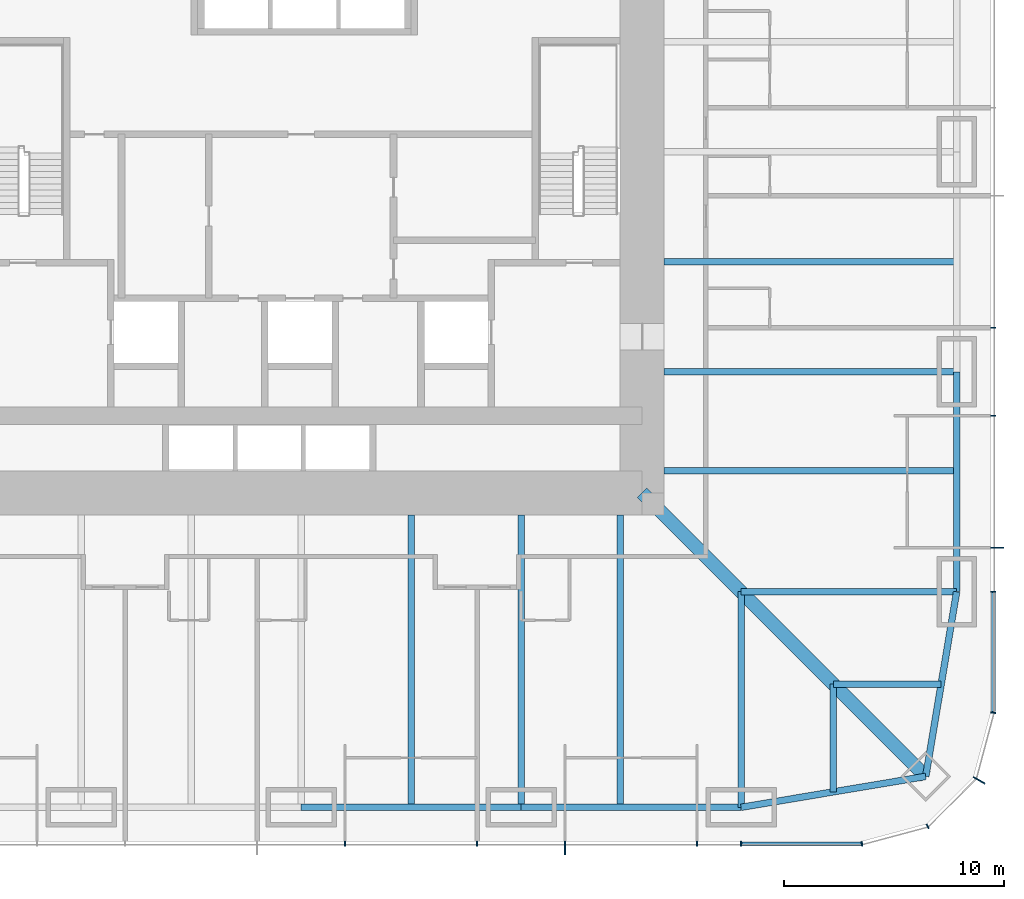
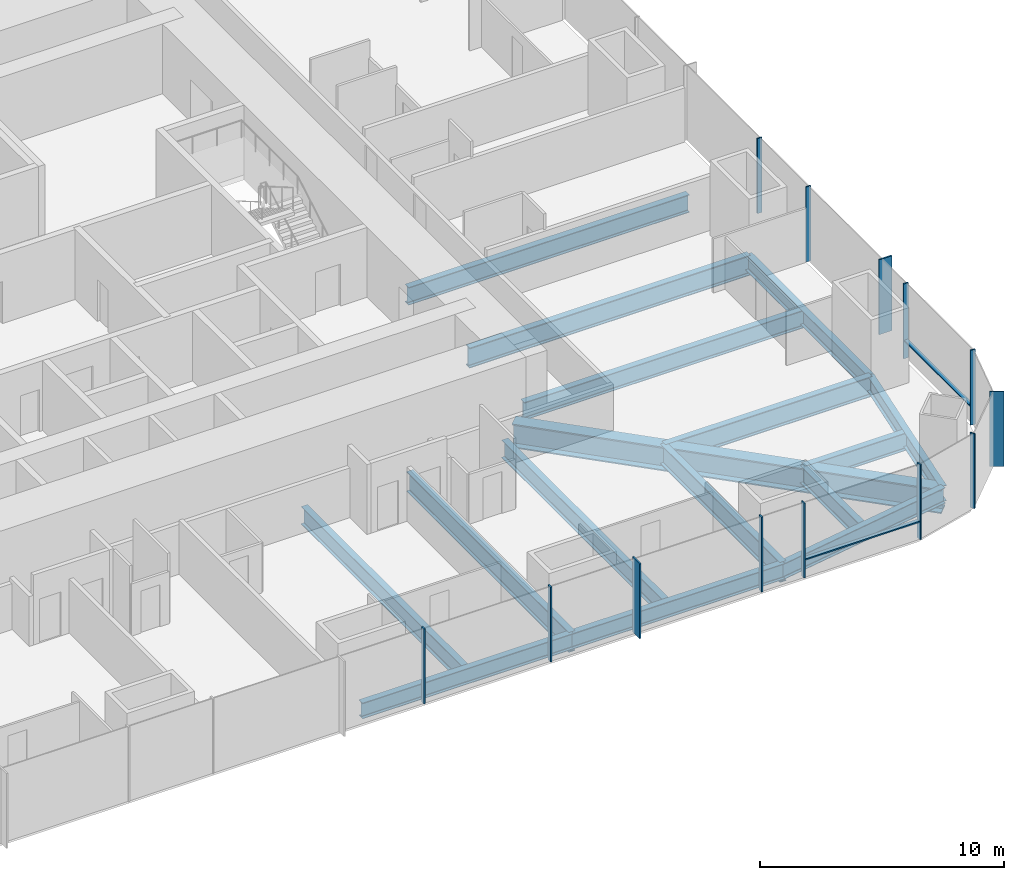
# One storey, part 4 of 16: 16 beams, 15 members, 3 elements without a shape of their own.
"""IFC4 building model written with IfcOpenShell, lengths in metres."""

from ifc_helpers import new_model, si_unit, direction, frame, origin, origin_2d, place, context, subcontext, project, spatial, rectangle, i_section, extrude, material, material_profile, profile_set, type_object, element, aggregate, save


model = new_model("IFC4")

# Units and contexts
model_context = context("Model", 3, precision=1e-05, world=origin(), true_north=direction((0.0, 1.0)))
body_context = subcontext(model_context, "Body", "Model", "MODEL_VIEW")
ifc_project = project(units=[si_unit("LENGTHUNIT", "METRE"), si_unit("AREAUNIT", "SQUARE_METRE"), si_unit("VOLUMEUNIT", "CUBIC_METRE"), si_unit("PLANEANGLEUNIT", "RADIAN"), si_unit("MASSUNIT", "GRAM", prefix="KILO")], contexts=[model_context])

# Site, building, storey
site_placement = place(None, origin())
site = spatial("IfcSite", under=ifc_project, at=site_placement, CompositionType="ELEMENT")
building_placement = place(site_placement, origin())
building = spatial("IfcBuilding", under=site, at=building_placement, Name="Khuree Lantern Residences", CompositionType="ELEMENT")
storey_placement = place(building_placement, frame((0.0, 0.0, 54.75)))
storey = spatial("IfcBuildingStorey", under=building, at=storey_placement, Name="L13", CompositionType="ELEMENT", Elevation=54.75)

# Beams
ifc_material_1 = material(Name="Steel S355", Category="steel")
ifc_material_profile_1 = material_profile(ifc_material_1, i_section(OverallWidth=0.300048828125, OverallDepth=0.889892578125, WebThickness=0.01611328125, FlangeThickness=0.030029296875, FilletRadius=0.030029296875, at=origin_2d()), Name="HE 900 A")
ifc_profile_set_1 = profile_set([ifc_material_profile_1], Name="Steel S355")
beam_type_1 = type_object("IfcBeamType", Name="B-13 SECONDARY BEAM HE 900 A", PredefinedType="BEAM", material=ifc_profile_set_1)
for number, where, z_axis, x_axis, name in (
    (1, (29.800048828125, -5.0, -0.695068359375), (-1.0, 0.0, 0.0), (0.0, -1.0, 0.0), "Secondary beam E4"),
    (2, (29.800048828125, -14.5, -0.695068359375), (-1.0, 0.0, 0.0), (0.0, -1.0, 0.0), "Secondary beam E5"),
):
    element("IfcBeam", number, at=place(storey_placement, frame(where, z_axis=z_axis, x_axis=x_axis)), inside=storey, type_object=beam_type_1, Name=name, PredefinedType="BEAM", context=body_context, shape_type="SweptSolid", body=[
        extrude(i_section(OverallWidth=0.300048828125, OverallDepth=0.889892578125, WebThickness=0.01611328125, FlangeThickness=0.030029296875, FilletRadius=0.030029296875, at=origin_2d()), origin(), (0.0, 0.0, 1.0), 13.300048828125),
    ])
for number, where, z_axis, x_axis, name in (
    (3, (29.09716796875, -24.197021484375, -0.695068359375), (-1.0, 0.0, 0.0), (0.0, -1.0, 0.0), "Secondary beam E6"),
    (4, (24.197021484375, -29.09716796875, -0.695068359375), (0.0, 1.0, 0.0), (-1.0, 0.0, 0.0), "Secondary beam S1"),
):
    element("IfcBeam", number, at=place(storey_placement, frame(where, z_axis=z_axis, x_axis=x_axis)), inside=storey, type_object=beam_type_1, Name=name, PredefinedType="BEAM", context=body_context, shape_type="SweptSolid", body=[
        extrude(i_section(OverallWidth=0.300048828125, OverallDepth=0.889892578125, WebThickness=0.01611328125, FlangeThickness=0.030029296875, FilletRadius=0.030029296875, at=origin_2d()), origin(), (0.0, 0.0, 1.0), 4.900146484375),
    ])
for number, where, z_axis, x_axis, name in (
    (5, (14.5, -29.800048828125, -0.695068359375), (0.0, 1.0, 0.0), (-1.0, 0.0, 0.0), "Secondary beam S2"),
    (6, (5.0, -29.800048828125, -0.695068359375), (0.0, 1.0, 0.0), (-1.0, 0.0, 0.0), "Secondary beam S3"),
):
    element("IfcBeam", number, at=place(storey_placement, frame(where, z_axis=z_axis, x_axis=x_axis)), inside=storey, type_object=beam_type_1, Name=name, PredefinedType="BEAM", context=body_context, shape_type="SweptSolid", body=[
        extrude(i_section(OverallWidth=0.300048828125, OverallDepth=0.889892578125, WebThickness=0.01611328125, FlangeThickness=0.030029296875, FilletRadius=0.030029296875, at=origin_2d()), origin(), (0.0, 0.0, 1.0), 13.300048828125),
    ])
ifc_material_profile_2 = material_profile(ifc_material_1, i_section(OverallWidth=0.300048828125, OverallDepth=0.7900390625, WebThickness=0.014892578125, FlangeThickness=0.028076171875, FilletRadius=0.030029296875, at=origin_2d()), Name="HE 800 A")
ifc_profile_set_2 = profile_set([ifc_material_profile_2], Name="Steel S355")
beam_type_2 = type_object("IfcBeamType", Name="E-13 SPANDREL BEAM HE 800 A", PredefinedType="SPANDREL", material=ifc_profile_set_2)
beam_1_placement = place(storey_placement, frame((29.800048828125, -10.0, -0.64501953125), z_axis=(0.0, -1.0, 0.0), x_axis=(1.0, 0.0, 0.0)))
element("IfcBeam", 7, at=beam_1_placement, inside=storey, type_object=beam_type_2, Name="Spandrel beam E5", PredefinedType="SPANDREL", context=body_context, shape_type="SweptSolid", body=[
    extrude(i_section(OverallWidth=0.300048828125, OverallDepth=0.7900390625, WebThickness=0.014892578125, FlangeThickness=0.028076171875, FilletRadius=0.030029296875, at=origin_2d()), origin(), (0.0, 0.0, 1.0), 10.0),
])
for number, where, z_axis, x_axis, name in (
    (8, (29.800048828125, -20.0, -0.64501953125), (-0.165199022349, -0.986260251158, 0.0), (0.986260251158, -0.165199022349, 0.0), "Spandrel beam E6"),
    (9, (28.39404296875, -28.39404296875, -0.64501953125), (-0.986260251158, -0.165199022349, 0.0), (0.165199022349, -0.986260251158, 0.0), "Spandrel beam S1"),
):
    element("IfcBeam", number, at=place(storey_placement, frame(where, z_axis=z_axis, x_axis=x_axis)), inside=storey, type_object=beam_type_2, Name=name, PredefinedType="SPANDREL", context=body_context, shape_type="SweptSolid", body=[
        extrude(i_section(OverallWidth=0.300048828125, OverallDepth=0.7900390625, WebThickness=0.014892578125, FlangeThickness=0.028076171875, FilletRadius=0.030029296875, at=origin_2d()), origin(), (0.0, 0.0, 1.0), 8.510986328125),
    ])
for number, where, z_axis, x_axis, name in (
    (10, (20.0, -29.800048828125, -0.64501953125), (-1.0, 0.0, 0.0), (0.0, -1.0, 0.0), "Spandrel beam S2"),
    (11, (10.0, -29.800048828125, -0.64501953125), (-1.0, 0.0, 0.0), (0.0, -1.0, 0.0), "Spandrel beam S3"),
):
    element("IfcBeam", number, at=place(storey_placement, frame(where, z_axis=z_axis, x_axis=x_axis)), inside=storey, type_object=beam_type_2, Name=name, PredefinedType="SPANDREL", context=body_context, shape_type="SweptSolid", body=[
        extrude(i_section(OverallWidth=0.300048828125, OverallDepth=0.7900390625, WebThickness=0.014892578125, FlangeThickness=0.028076171875, FilletRadius=0.030029296875, at=origin_2d()), origin(), (0.0, 0.0, 1.0), 10.0),
    ])

# Curtain wall, member
ifc_material_2 = material(Name="Bronze anodised aluminium", Category="aluminium")
curtain_wall_type_1 = type_object("IfcCurtainWallType", Name="CW-T2 TOWER CORNER CURTAIN WALL", PredefinedType="USERDEFINED", material=ifc_material_2)
curtain_wall_1_placement = place(storey_placement, origin())
curtain_wall_1 = element("IfcCurtainWall", 12, at=curtain_wall_1_placement, inside=storey, type_object=curtain_wall_type_1, Name="L13 SOUTH-EAST CORNER CURTAIN WALL", ObjectType="Faceted corner curtain wall", PredefinedType="USERDEFINED")
ifc_material_profile_3 = material_profile(ifc_material_2, rectangle(XDim=0.06494140625, YDim=0.60009765625, at=origin_2d()), Name="F1 65X600")
ifc_profile_set_3 = profile_set([ifc_material_profile_3], Name="Bronze anodised aluminium")
member_type_1 = type_object("IfcMemberType", Name="F1 BRONZE FIN MULLION TOWER 65X600", PredefinedType="MULLION", material=ifc_profile_set_3)
member_1_placement = place(storey_placement, frame((30.826171875, -28.574951171875, 0.0), z_axis=(0.0, 0.0, 1.0), x_axis=(0.500000056923, 0.86602537092, 0.0)))
member_1 = element("IfcMember", 13, at=member_1_placement, type_object=member_type_1, Name="L13 SOUTH-EAST CORNER FIN MULLION 3", PredefinedType="MULLION", context=body_context, shape_type="SweptSolid", body=[
    extrude(rectangle(XDim=0.06494140625, YDim=0.60009765625, at=origin_2d()), origin(), (0.0, 0.0, 1.0), 3.75),
])

curtain_wall_type_2 = type_object("IfcCurtainWallType", Name="CW-T1 TOWER FACE CURTAIN WALL", PredefinedType="USERDEFINED", material=ifc_material_2)
curtain_wall_2_placement = place(storey_placement, origin())
curtain_wall_2 = element("IfcCurtainWall", 14, at=curtain_wall_2_placement, inside=storey, type_object=curtain_wall_type_2, Name="L13 EAST FACE CURTAIN WALL", ObjectType="Stick-built curtain wall", PredefinedType="USERDEFINED")
member_2_placement = place(storey_placement, frame((31.64990234375, -18.0, 0.0), z_axis=(0.0, 0.0, 1.0), x_axis=(0.0, 1.0, 0.0)))
member_2 = element("IfcMember", 15, at=member_2_placement, type_object=member_type_1, Name="L13 EAST FACE FIN MULLION 6", PredefinedType="MULLION", context=body_context, shape_type="SweptSolid", body=[
    extrude(rectangle(XDim=0.06494140625, YDim=0.60009765625, at=origin_2d()), origin(), (0.0, 0.0, 1.0), 3.75),
])

curtain_wall_3_placement = place(storey_placement, origin())
curtain_wall_3 = element("IfcCurtainWall", 16, at=curtain_wall_3_placement, inside=storey, type_object=curtain_wall_type_2, Name="L13 SOUTH FACE CURTAIN WALL", ObjectType="Stick-built curtain wall", PredefinedType="USERDEFINED")
member_3_placement = place(storey_placement, frame((12.0, -31.64990234375, 0.0), z_axis=(0.0, 0.0, 1.0), x_axis=(1.0, 0.0, 0.0)))
member_3 = element("IfcMember", 17, at=member_3_placement, type_object=member_type_1, Name="L13 SOUTH FACE FIN MULLION 54", PredefinedType="MULLION", context=body_context, shape_type="SweptSolid", body=[
    extrude(rectangle(XDim=0.06494140625, YDim=0.60009765625, at=origin_2d()), origin(), (0.0, 0.0, 1.0), 3.75),
])

# Beams
ifc_material_profile_4 = material_profile(ifc_material_1, i_section(OverallWidth=0.302001953125, OverallDepth=1.008056640625, WebThickness=0.02099609375, FlangeThickness=0.0400390625, FilletRadius=0.030029296875, at=origin_2d()), Name="HE 1000 M")
ifc_profile_set_4 = profile_set([ifc_material_profile_4], Name="Steel S355")
beam_type_3 = type_object("IfcBeamType", Name="G-13 GIRDER HE 1000 M", PredefinedType="BEAM", material=ifc_profile_set_4)
beam_2_placement = place(storey_placement, frame((29.800048828125, -10.0, -0.75390625), z_axis=(-1.0, 0.0, 0.0), x_axis=(0.0, -1.0, 0.0)))
element("IfcBeam", 18, at=beam_2_placement, inside=storey, type_object=beam_type_3, Name="Girder E4", PredefinedType="BEAM", context=body_context, shape_type="SweptSolid", body=[
    extrude(i_section(OverallWidth=0.302001953125, OverallDepth=1.008056640625, WebThickness=0.02099609375, FlangeThickness=0.0400390625, FilletRadius=0.030029296875, at=origin_2d()), origin(), (0.0, 0.0, 1.0), 13.300048828125),
])
for number, where, z_axis, x_axis, name in (
    (19, (29.800048828125, -20.0, -0.75390625), (-1.0, 0.0, 0.0), (0.0, -1.0, 0.0), "Girder E5"),
    (20, (20.0, -29.800048828125, -0.75390625), (0.0, 1.0, 0.0), (-1.0, 0.0, 0.0), "Girder S1"),
):
    element("IfcBeam", number, at=place(storey_placement, frame(where, z_axis=z_axis, x_axis=x_axis)), inside=storey, type_object=beam_type_3, Name=name, PredefinedType="BEAM", context=body_context, shape_type="SweptSolid", body=[
        extrude(i_section(OverallWidth=0.302001953125, OverallDepth=1.008056640625, WebThickness=0.02099609375, FlangeThickness=0.0400390625, FilletRadius=0.030029296875, at=origin_2d()), origin(), (0.0, 0.0, 1.0), 9.800048828125),
    ])
beam_3_placement = place(storey_placement, frame((10.0, -29.800048828125, -0.75390625), z_axis=(0.0, 1.0, 0.0), x_axis=(-1.0, 0.0, 0.0)))
element("IfcBeam", 21, at=beam_3_placement, inside=storey, type_object=beam_type_3, Name="Girder S2", PredefinedType="BEAM", context=body_context, shape_type="SweptSolid", body=[
    extrude(i_section(OverallWidth=0.302001953125, OverallDepth=1.008056640625, WebThickness=0.02099609375, FlangeThickness=0.0400390625, FilletRadius=0.030029296875, at=origin_2d()), origin(), (0.0, 0.0, 1.0), 13.300048828125),
])
ifc_material_profile_5 = material_profile(ifc_material_1, i_section(OverallWidth=0.60009765625, OverallDepth=1.199951171875, WebThickness=0.030029296875, FlangeThickness=0.06005859375, at=origin_2d()), Name="WELDED I 1200X600X30X60")
ifc_profile_set_5 = profile_set([ifc_material_profile_5], Name="Steel S355")
beam_type_4 = type_object("IfcBeamType", Name="GD-13 CORNER GIRDER WELDED I 1200X600X30X60", PredefinedType="BEAM", material=ifc_profile_set_5)
beam_4_placement = place(storey_placement, frame((28.39404296875, -28.39404296875, -0.85009765625), z_axis=(-0.707106781187, 0.707106781187, 0.0), x_axis=(-0.707106781187, -0.707106781187, 0.0)))
element("IfcBeam", 22, at=beam_4_placement, inside=storey, type_object=beam_type_4, Name="Corner girder SE", PredefinedType="BEAM", context=body_context, shape_type="SweptSolid", body=[
    extrude(i_section(OverallWidth=0.60009765625, OverallDepth=1.199951171875, WebThickness=0.030029296875, FlangeThickness=0.06005859375, at=origin_2d()), origin(), (0.0, 0.0, 1.0), 18.23486328125),
])

# Member
ifc_material_profile_6 = material_profile(ifc_material_2, rectangle(XDim=0.06494140625, YDim=0.219970703125, at=origin_2d()), Name="M1 65X220")
ifc_profile_set_6 = profile_set([ifc_material_profile_6], Name="Bronze anodised aluminium")
member_type_2 = type_object("IfcMemberType", Name="M1 BRONZE MULLION TOWER 65X220", PredefinedType="MULLION", material=ifc_profile_set_6)
member_4_placement = place(storey_placement, frame((25.494873046875, -31.461669921875, 0.0), z_axis=(0.0, 0.0, 1.0), x_axis=(0.991444852794, 0.130526257387, 0.0)))
member_4 = element("IfcMember", 23, at=member_4_placement, type_object=member_type_2, Name="L13 SOUTH-EAST CORNER MULLION 1", PredefinedType="MULLION", context=body_context, shape_type="SweptSolid", body=[
    extrude(rectangle(XDim=0.06494140625, YDim=0.219970703125, at=origin_2d()), origin(), (0.0, 0.0, 1.0), 3.75),
])

member_5_placement = place(storey_placement, frame((28.47998046875, -30.66162109375, 0.0), z_axis=(0.0, 0.0, 1.0), x_axis=(0.86602537092, 0.500000056923, 0.0)))
member_5 = element("IfcMember", 24, at=member_5_placement, type_object=member_type_2, Name="L13 SOUTH-EAST CORNER MULLION 2", PredefinedType="MULLION", context=body_context, shape_type="SweptSolid", body=[
    extrude(rectangle(XDim=0.06494140625, YDim=0.219970703125, at=origin_2d()), origin(), (0.0, 0.0, 1.0), 3.75),
])

aggregate(curtain_wall_1, [member_4, member_5, member_1])

member_6_placement = place(storey_placement, frame((31.461669921875, -25.494873046875, 0.0), z_axis=(0.0, 0.0, 1.0), x_axis=(0.130526257387, 0.991444852794, 0.0)))
member_6 = element("IfcMember", 25, at=member_6_placement, type_object=member_type_2, Name="L13 EAST FACE MULLION 4", PredefinedType="MULLION", context=body_context, shape_type="SweptSolid", body=[
    extrude(rectangle(XDim=0.06494140625, YDim=0.219970703125, at=origin_2d()), origin(), (0.0, 0.0, 1.0), 3.75),
])

member_7_placement = place(storey_placement, frame((31.4599609375, -20.0, 0.0), z_axis=(0.0, 0.0, 1.0), x_axis=(0.0, 1.0, 0.0)))
member_7 = element("IfcMember", 26, at=member_7_placement, type_object=member_type_2, Name="L13 EAST FACE MULLION 5", PredefinedType="MULLION", context=body_context, shape_type="SweptSolid", body=[
    extrude(rectangle(XDim=0.06494140625, YDim=0.219970703125, at=origin_2d()), origin(), (0.0, 0.0, 1.0), 3.75),
])

member_8_placement = place(storey_placement, frame((31.4599609375, -12.0, 0.0), z_axis=(0.0, 0.0, 1.0), x_axis=(0.0, 1.0, 0.0)))
member_8 = element("IfcMember", 27, at=member_8_placement, type_object=member_type_2, Name="L13 EAST FACE MULLION 7", PredefinedType="MULLION", context=body_context, shape_type="SweptSolid", body=[
    extrude(rectangle(XDim=0.06494140625, YDim=0.219970703125, at=origin_2d()), origin(), (0.0, 0.0, 1.0), 3.75),
])

member_9_placement = place(storey_placement, frame((31.4599609375, -8.0, 0.0), z_axis=(0.0, 0.0, 1.0), x_axis=(0.0, 1.0, 0.0)))
member_9 = element("IfcMember", 28, at=member_9_placement, type_object=member_type_2, Name="L13 EAST FACE MULLION 8", PredefinedType="MULLION", context=body_context, shape_type="SweptSolid", body=[
    extrude(rectangle(XDim=0.06494140625, YDim=0.219970703125, at=origin_2d()), origin(), (0.0, 0.0, 1.0), 3.75),
])

member_10_placement = place(storey_placement, frame((2.0, -31.4599609375, 0.0), z_axis=(0.0, 0.0, 1.0), x_axis=(1.0, 0.0, 0.0)))
member_10 = element("IfcMember", 29, at=member_10_placement, type_object=member_type_2, Name="L13 SOUTH FACE MULLION 52", PredefinedType="MULLION", context=body_context, shape_type="SweptSolid", body=[
    extrude(rectangle(XDim=0.06494140625, YDim=0.219970703125, at=origin_2d()), origin(), (0.0, 0.0, 1.0), 3.75),
])

member_11_placement = place(storey_placement, frame((8.0, -31.4599609375, 0.0), z_axis=(0.0, 0.0, 1.0), x_axis=(1.0, 0.0, 0.0)))
member_11 = element("IfcMember", 30, at=member_11_placement, type_object=member_type_2, Name="L13 SOUTH FACE MULLION 53", PredefinedType="MULLION", context=body_context, shape_type="SweptSolid", body=[
    extrude(rectangle(XDim=0.06494140625, YDim=0.219970703125, at=origin_2d()), origin(), (0.0, 0.0, 1.0), 3.75),
])

member_12_placement = place(storey_placement, frame((18.0, -31.4599609375, 0.0), z_axis=(0.0, 0.0, 1.0), x_axis=(1.0, 0.0, 0.0)))
member_12 = element("IfcMember", 31, at=member_12_placement, type_object=member_type_2, Name="L13 SOUTH FACE MULLION 55", PredefinedType="MULLION", context=body_context, shape_type="SweptSolid", body=[
    extrude(rectangle(XDim=0.06494140625, YDim=0.219970703125, at=origin_2d()), origin(), (0.0, 0.0, 1.0), 3.75),
])

member_13_placement = place(storey_placement, frame((20.0, -31.4599609375, 0.0), z_axis=(0.0, 0.0, 1.0), x_axis=(1.0, 0.0, 0.0)))
member_13 = element("IfcMember", 32, at=member_13_placement, type_object=member_type_2, Name="L13 SOUTH FACE MULLION 56", PredefinedType="MULLION", context=body_context, shape_type="SweptSolid", body=[
    extrude(rectangle(XDim=0.06494140625, YDim=0.219970703125, at=origin_2d()), origin(), (0.0, 0.0, 1.0), 3.75),
])

ifc_material_profile_7 = material_profile(ifc_material_2, rectangle(XDim=0.179931640625, YDim=0.06494140625, at=origin_2d()), Name="T1 180X65")
ifc_profile_set_7 = profile_set([ifc_material_profile_7], Name="Bronze anodised aluminium")
member_type_3 = type_object("IfcMemberType", Name="TRANSOM T1 TOWER 180X65", PredefinedType="USERDEFINED", material=ifc_profile_set_7)
member_14_placement = place(storey_placement, frame((31.469970703125, -25.451416015625, 0.89990234375), z_axis=(0.0, 1.0, 0.0), x_axis=(-1.0, 0.0, 0.0)))
member_14 = element("IfcMember", 33, at=member_14_placement, type_object=member_type_3, Name="L13 EAST FACE TRANSOM 4.1", ObjectType="Transom", PredefinedType="USERDEFINED", context=body_context, shape_type="SweptSolid", body=[
    extrude(rectangle(XDim=0.179931640625, YDim=0.06494140625, at=origin_2d()), origin(), (0.0, 0.0, 1.0), 5.4189453125),
])

aggregate(curtain_wall_2, [member_6, member_7, member_2, member_8, member_9, member_14])

member_15_placement = place(storey_placement, frame((20.032470703125, -31.469970703125, 0.89990234375), z_axis=(1.0, 0.0, 0.0), x_axis=(0.0, 1.0, 0.0)))
member_15 = element("IfcMember", 34, at=member_15_placement, type_object=member_type_3, Name="L13 SOUTH FACE TRANSOM 56.1", ObjectType="Transom", PredefinedType="USERDEFINED", context=body_context, shape_type="SweptSolid", body=[
    extrude(rectangle(XDim=0.179931640625, YDim=0.06494140625, at=origin_2d()), origin(), (0.0, 0.0, 1.0), 5.4189453125),
])

aggregate(curtain_wall_3, [member_10, member_11, member_3, member_12, member_13, member_15])

save(model, "model.ifc")
